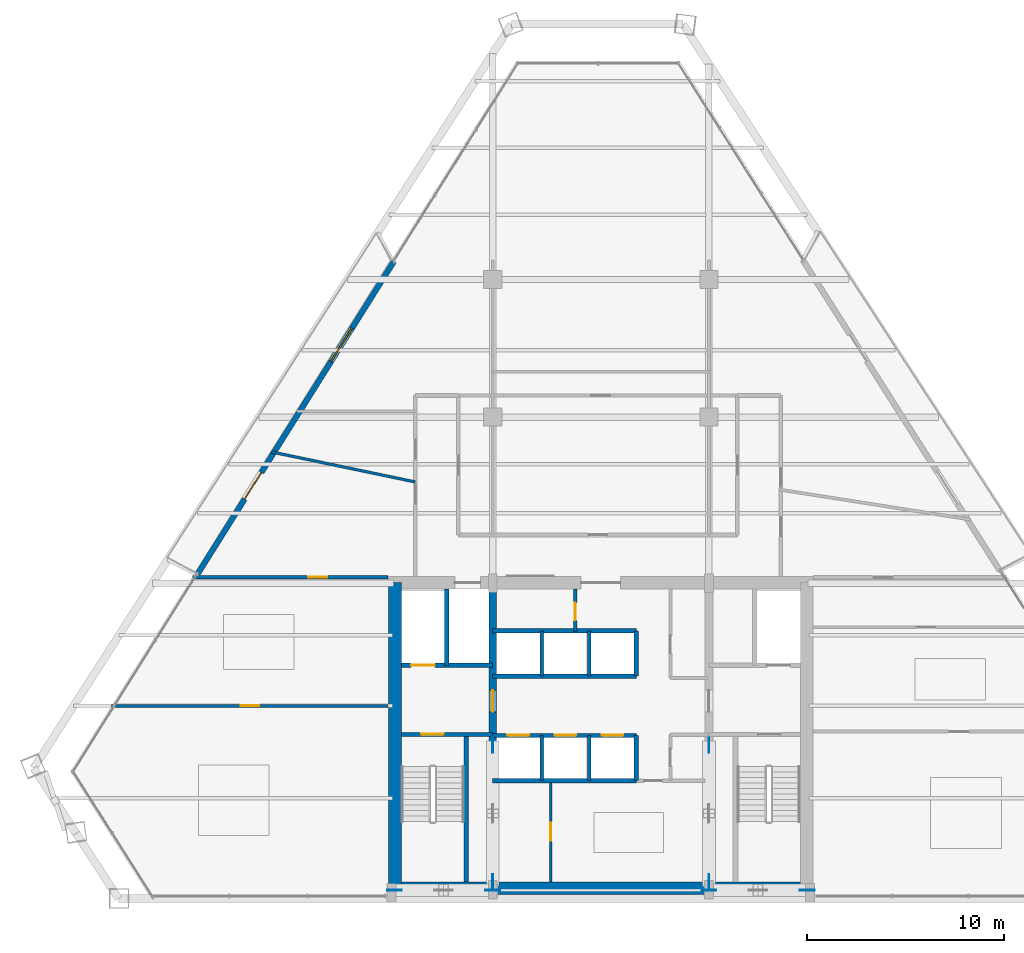
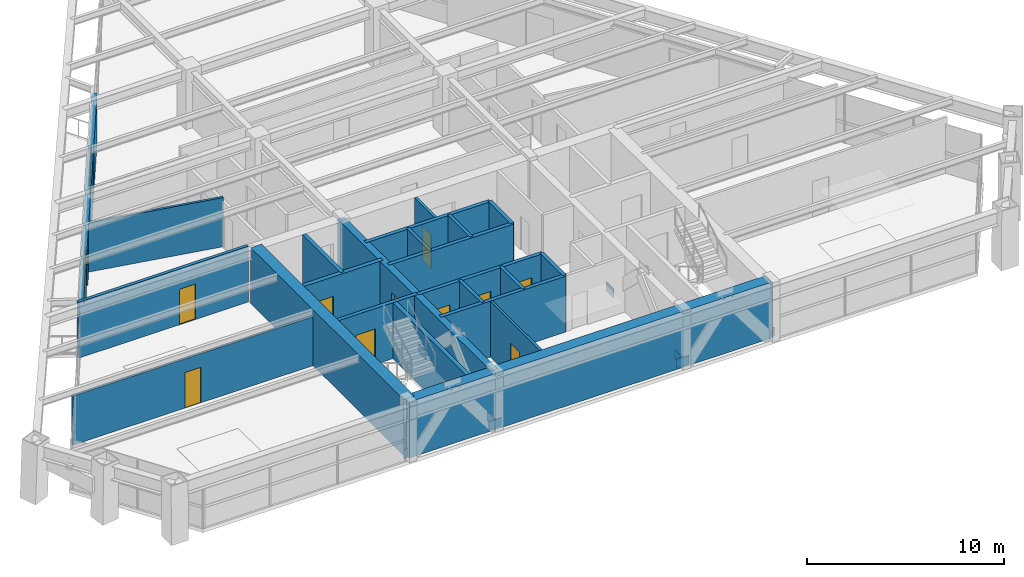
# One storey, part 11 of 15: 23 walls, 11 doors, 8 plates, 1 window, 12 openings.
"""IFC4 building model written with IfcOpenShell, lengths in metres."""

import ifcopenshell
import ifcopenshell.guid

model = None  # the IFC model being written
_history = None  # IfcOwnerHistory: only IFC2X3 demands one
_inside = {}  # id of a spatial element -> (the spatial element, [elements in it])
_under = {}  # id of a project, library or spatial element -> (it, [spatial elements below it])
_declared = {}  # id of a project -> (the project, [libraries it declares])
_typed = {}  # id of a type object -> (the type object, [elements of that type])
_made_of = {}  # id of a material, layer set ... -> (it, [elements and type objects made of it])


def new_model(schema):
    """Start an empty IFC model of exactly this schema.

    Asked for "IFC4X3", IfcOpenShell would pick the latest addendum, in which some entities
    have other attributes; the version numbers below select the first issue.
    IFC2X3 requires an IfcOwnerHistory on every rooted entity: one is made here for all.
    """
    global model, _history
    if schema == "IFC4X3":
        model = ifcopenshell.file(schema_version=(4, 3, 0, 0))
    else:
        model = ifcopenshell.file(schema=schema)
    _inside.clear()
    _under.clear()
    _declared.clear()
    _typed.clear()
    _made_of.clear()
    _history = None
    if model.schema == "IFC2X3":
        org = make("IfcOrganization", Name="unknown")
        user = make(
            "IfcPersonAndOrganization",
            ThePerson=make("IfcPerson", FamilyName="unknown"),
            TheOrganization=org,
        )
        app = make(
            "IfcApplication",
            ApplicationDeveloper=org,
            Version="unknown",
            ApplicationFullName="unknown",
            ApplicationIdentifier="unknown",
        )
        _history = make(
            "IfcOwnerHistory",
            OwningUser=user,
            OwningApplication=app,
            ChangeAction="ADDED",
            CreationDate=0,
        )
    return model


def make(cls, **values):
    """One entity of the class cls with the attributes given. An attribute that is None is left unset."""
    return model.create_entity(
        cls, **{name: value for name, value in values.items() if value is not None}
    )


def rooted(cls, **values):
    """An entity with a GlobalId (a new one), such as an element, a storey or a relation."""
    return make(cls, GlobalId=ifcopenshell.guid.new(), OwnerHistory=_history, **values)


def si_unit(unit_type, name, prefix=None):
    """IfcSIUnit, for example si_unit("LENGTHUNIT", "METRE", prefix="MILLI")."""
    return make("IfcSIUnit", UnitType=unit_type, Prefix=prefix, Name=name)


def assignment(units):
    """IfcUnitAssignment: the units of a project."""
    return None if units is None else make("IfcUnitAssignment", Units=units)


def point(xyz):
    """IfcCartesianPoint."""
    return None if xyz is None else make("IfcCartesianPoint", Coordinates=xyz)


def direction(xyz):
    """IfcDirection."""
    return None if xyz is None else make("IfcDirection", DirectionRatios=xyz)


def frame(location, z_axis=None, x_axis=None):
    """IfcAxis2Placement3D, a coordinate frame: its origin and axes. An axis left out is left unset."""
    return make(
        "IfcAxis2Placement3D",
        Location=point(location),
        Axis=direction(z_axis),
        RefDirection=direction(x_axis),
    )


def frame_2d(location, x_axis=None):
    """IfcAxis2Placement2D, a coordinate frame in the plane: its origin and x axis."""
    return make(
        "IfcAxis2Placement2D", Location=point(location), RefDirection=direction(x_axis)
    )


def origin():
    """The frame at (0, 0, 0) with its axes left unset."""
    return frame((0.0, 0.0, 0.0))


def origin_2d():
    """The frame at (0, 0) in the plane with its x axis left unset."""
    return frame_2d((0.0, 0.0))


def place(relative_to, where):
    """IfcLocalPlacement: puts the frame where relative to a parent placement (None: the world)."""
    return make(
        "IfcLocalPlacement", PlacementRelTo=relative_to, RelativePlacement=where
    )


def context(
    kind, dimensions, precision=None, world=None, true_north=None, identifier=None
):
    """IfcGeometricRepresentationContext, for example the 3D "Model" context."""
    return make(
        "IfcGeometricRepresentationContext",
        ContextIdentifier=identifier,
        ContextType=kind,
        CoordinateSpaceDimension=dimensions,
        Precision=precision,
        WorldCoordinateSystem=world,
        TrueNorth=true_north,
    )


def subcontext(parent, identifier, kind, view, scale=None):
    """IfcGeometricRepresentationSubContext, for example "Body" below "Model"."""
    return make(
        "IfcGeometricRepresentationSubContext",
        ContextIdentifier=identifier,
        ContextType=kind,
        ParentContext=parent,
        TargetScale=scale,
        TargetView=view,
    )


def project(units=None, contexts=None):
    """IfcProject with its units and contexts."""
    return rooted(
        "IfcProject",
        Name="project",
        RepresentationContexts=contexts,
        UnitsInContext=assignment(units),
    )


def spatial(cls, under=None, at=None, **own):
    """A site, building, storey or space (cls), placed at a placement, below another one or the project."""
    s = rooted(cls, ObjectPlacement=at, **own)
    if under is not None:
        _under.setdefault(under.id(), (under, []))[1].append(s)
    return s


def profile(cls, at=None, kind="AREA", **sizes):
    """A parametric profile (cls). Its sizes go by their IFC names, for example OverallWidth=200.0."""
    return make(cls, ProfileType=kind, Position=at, **sizes)


def rectangle(**sizes):
    """IfcRectangleProfileDef."""
    return profile("IfcRectangleProfileDef", **sizes)


def extrude(swept, where, along, depth):
    """IfcExtrudedAreaSolid: the profile swept, set in the frame where, extruded along a direction by depth."""
    return make(
        "IfcExtrudedAreaSolid",
        SweptArea=swept,
        Position=where,
        ExtrudedDirection=direction(along),
        Depth=depth,
    )


def shape(context_of_items, identifier, shape_type, items):
    """IfcShapeRepresentation: the items that make up one representation, for example the "Body"."""
    return make(
        "IfcShapeRepresentation",
        ContextOfItems=context_of_items,
        RepresentationIdentifier=identifier,
        RepresentationType=shape_type,
        Items=items,
    )


def source(mapping_origin, context_of_items, identifier, shape_type, items):
    """IfcRepresentationMap: a shape defined once, which mapped items show again and again."""
    return make(
        "IfcRepresentationMap",
        MappingOrigin=mapping_origin,
        MappedRepresentation=shape(context_of_items, identifier, shape_type, items),
    )


def transform(
    local_origin,
    x_axis=None,
    y_axis=None,
    z_axis=None,
    scale=None,
    scale2=None,
    scale3=None,
    uniform=True,
):
    """IfcCartesianTransformationOperator3D, or its non-uniform kind. x_axis, y_axis, z_axis: its Axis1, 2, 3."""
    if uniform:
        return make(
            "IfcCartesianTransformationOperator3D",
            Axis1=direction(x_axis),
            Axis2=direction(y_axis),
            LocalOrigin=point(local_origin),
            Scale=scale,
            Axis3=direction(z_axis),
        )
    return make(
        "IfcCartesianTransformationOperator3DnonUniform",
        Axis1=direction(x_axis),
        Axis2=direction(y_axis),
        LocalOrigin=point(local_origin),
        Scale=scale,
        Axis3=direction(z_axis),
        Scale2=scale2,
        Scale3=scale3,
    )


def mapped(mapping_source, mapping_target):
    """IfcMappedItem: shows the shape of a source again, moved by a transform."""
    return make(
        "IfcMappedItem", MappingSource=mapping_source, MappingTarget=mapping_target
    )


def material(Name=None, Category=None):
    """IfcMaterial."""
    return make("IfcMaterial", Name=Name, Category=Category)


def layer(
    of_material, thickness, ventilated=None, Name=None, Category=None, Priority=None
):
    """IfcMaterialLayer: one layer of a wall or slab, of a material (None: an air gap)."""
    return make(
        "IfcMaterialLayer",
        Material=of_material,
        LayerThickness=thickness,
        IsVentilated=ventilated,
        Name=Name,
        Category=Category,
        Priority=Priority,
    )


def layer_set(layers, Name=None):
    """IfcMaterialLayerSet."""
    return make("IfcMaterialLayerSet", MaterialLayers=layers, LayerSetName=Name)


def made_of(thing, what):
    """Note that an element or type object is made of a material, layer set ...; save() writes the relation."""
    if what is not None:
        _made_of.setdefault(what.id(), (what, []))[1].append(thing)
    return thing


def type_object(cls, material=None, **own):
    """A type object (cls), such as IfcWallType, which elements share."""
    return made_of(rooted(cls, **own), material)


def type_shapes(of_type, sources):
    """Give a type object the sources (RepresentationMaps) that its elements show as mapped items."""
    of_type.RepresentationMaps = sources


def element(
    cls,
    number,
    at=None,
    inside=None,
    cuts=None,
    type_object=None,
    material=None,
    context=None,
    identifier="Body",
    shape_type=None,
    held_by="IfcProductDefinitionShape",
    body=None,
    shapes=None,
    **own,
):
    """One element of the class cls, such as IfcWall. Its Tag is "e" and its number.

    at: its placement. inside: the storey or other place that contains it. cuts: it is an
    opening in that element (IfcRelVoidsElement). A single representation is given by context,
    identifier, shape_type and body (its items); several are given by shapes. held_by: the class
    of the entity that holds the representations. save() writes the other relations.
    """
    e = rooted(cls, Tag="e%d" % number, ObjectPlacement=at, **own)
    if body is not None:
        shapes = [shape(context, identifier, shape_type, body)]
    if shapes is not None:
        e.Representation = make(held_by, Representations=shapes)
    if inside is not None:
        _inside.setdefault(inside.id(), (inside, []))[1].append(e)
    if cuts is not None:
        rooted(
            "IfcRelVoidsElement", RelatingBuildingElement=cuts, RelatedOpeningElement=e
        )
    if type_object is not None:
        _typed.setdefault(type_object.id(), (type_object, []))[1].append(e)
    return made_of(e, material)


def fill(opening, filler):
    """IfcRelFillsElement: the door or window that sits in an opening."""
    return rooted(
        "IfcRelFillsElement",
        RelatingOpeningElement=opening,
        RelatedBuildingElement=filler,
    )


def aggregate(whole, parts):
    """IfcRelAggregates: a whole, such as a stair, and the parts it consists of."""
    return rooted("IfcRelAggregates", RelatingObject=whole, RelatedObjects=parts)


def save(model, path):
    """Write the relations noted so far, then the file.

    IfcRelAggregates (storeys below a building ...), IfcRelContainedInSpatialStructure (elements
    in a storey), IfcRelDefinesByType, IfcRelAssociatesMaterial and IfcRelDeclares: one each for
    every whole, place, type object, material and project.
    """
    for whole, parts in _under.values():
        aggregate(whole, parts)
    for where, things in _inside.values():
        rooted(
            "IfcRelContainedInSpatialStructure",
            RelatedElements=things,
            RelatingStructure=where,
        )
    for kind, things in _typed.values():
        rooted("IfcRelDefinesByType", RelatedObjects=things, RelatingType=kind)
    for what, things in _made_of.values():
        rooted("IfcRelAssociatesMaterial", RelatedObjects=things, RelatingMaterial=what)
    for by, libraries in _declared.values():
        rooted("IfcRelDeclares", RelatingContext=by, RelatedDefinitions=libraries)
    model.write(path)


model = new_model("IFC4")

# Units and contexts
model_context = context("Model", 3, precision=1e-05, world=origin(), true_north=direction((0.0, 1.0)))
body_context = subcontext(model_context, "Body", "Model", "MODEL_VIEW")
ifc_project = project(units=[si_unit("LENGTHUNIT", "METRE"), si_unit("AREAUNIT", "SQUARE_METRE"), si_unit("VOLUMEUNIT", "CUBIC_METRE"), si_unit("PLANEANGLEUNIT", "RADIAN"), si_unit("MASSUNIT", "GRAM", prefix="KILO")], contexts=[model_context])

# Site, building, storey
site_placement = place(None, origin())
site = spatial("IfcSite", under=ifc_project, at=site_placement, CompositionType="ELEMENT")
building_placement = place(site_placement, origin())
building = spatial("IfcBuilding", under=site, at=building_placement, Name="Varnakhor Terracotta Tower", CompositionType="ELEMENT")
storey_placement = place(building_placement, frame((0.0, 0.0, 174.699951171875)))
storey = spatial("IfcBuildingStorey", under=building, at=storey_placement, Name="L44", CompositionType="ELEMENT", Elevation=174.699951171875)

# Plates
ifc_material_1 = material(Name="Steel S460", Category="steel")
ifc_layer_1 = layer(ifc_material_1, 0.050048828125, Name="Steel S460")
ifc_layer_set_1 = layer_set([ifc_layer_1], Name="Steel S460")
plate_type = type_object("IfcPlateType", Name="PLT-GUSSET-50", PredefinedType="USERDEFINED", material=ifc_layer_set_1)
shared_shape_1 = source(origin(), body_context, "Body", "SweptSolid", [
    extrude(rectangle(XDim=0.75, YDim=0.0400390625, at=origin_2d()), origin(), (0.0, 0.0, 1.0), 0.550048828125),
])
type_shapes(plate_type, [shared_shape_1])
for number, where, z_axis, x_axis, name in (
    (1, (-10.5, 0.419921875, -0.09521484375), (0.0, 0.0, 1.0), (1.0, 0.0, 0.0), "L44 Core Brace Embed Plate CSWA"),
    (2, (-5.5, 0.419921875, -0.09521484375), (0.0, 0.0, 1.0), (1.0, 0.0, 0.0), "L44 Core Brace Embed Plate CSWB"),
    (3, (5.5, 0.419921875, -0.09521484375), (0.0, 0.0, 1.0), (1.0, 0.0, 0.0), "L44 Core Brace Embed Plate CSEA"),
    (4, (10.5, 0.419921875, -0.09521484375), (0.0, 0.0, 1.0), (1.0, 0.0, 0.0), "L44 Core Brace Embed Plate CSEB"),
    (5, (-5.5, 0.85009765625, -0.09521484375), (0.0, 0.0, 1.0), (0.0, 1.0, 0.0), "L44 Core Brace Embed Plate CWWA"),
    (6, (-5.5, 7.800048828125, -0.09521484375), (0.0, 0.0, 1.0), (0.0, 1.0, 0.0), "L44 Core Brace Embed Plate CWWB"),
    (7, (5.5, 0.85009765625, -0.09521484375), (0.0, 0.0, 1.0), (0.0, 1.0, 0.0), "L44 Core Brace Embed Plate CWEA"),
    (8, (5.5, 7.800048828125, -0.09521484375), (0.0, 0.0, 1.0), (0.0, 1.0, 0.0), "L44 Core Brace Embed Plate CWEB"),
):
    element("IfcPlate", number, at=place(storey_placement, frame(where, z_axis=z_axis, x_axis=x_axis)), inside=storey, type_object=plate_type, Name=name, ObjectType="GUSSET PLATE", PredefinedType="USERDEFINED", context=body_context, shape_type="MappedRepresentation", body=[
        mapped(shared_shape_1, transform((0.0, 0.0, 0.0), scale=1.0)),
    ])

# Walls
ifc_material_2 = material(Name="Concrete C50/60", Category="concrete")
ifc_layer_2 = layer(ifc_material_2, 0.64990234375, Name="Concrete C50/60")
ifc_layer_set_2 = layer_set([ifc_layer_2], Name="Concrete C50/60")
wall_type_1 = type_object("IfcWallType", Name="WAL-CORE-650", PredefinedType="SHEAR", material=ifc_layer_set_2)
wall_1_placement = place(storey_placement, frame((-10.64990234375, 0.52490234375, 0.0), z_axis=(0.0, 0.0, 1.0), x_axis=(1.0, 0.0, 0.0)))
element("IfcWall", 9, at=wall_1_placement, inside=storey, type_object=wall_type_1, Name="L44 South Core Shear Wall", PredefinedType="SHEAR", context=body_context, shape_type="SweptSolid", body=[
    extrude(rectangle(XDim=21.2998046875, YDim=0.64990234375, at=frame_2d((10.64990234375, 0.0))), origin(), (0.0, 0.0, 1.0), 3.469970703125),
])
wall_2_placement = place(storey_placement, frame((-10.47509765625, 0.52490234375, 0.0), z_axis=(0.0, 0.0, 1.0), x_axis=(0.0, 1.0, 0.0)))
element("IfcWall", 10, at=wall_2_placement, inside=storey, type_object=wall_type_1, Name="L44 West Core Shear Wall", PredefinedType="SHEAR", context=body_context, shape_type="SweptSolid", body=[
    extrude(rectangle(XDim=15.550048828125, YDim=0.64990234375, at=frame_2d((7.77490234375, 0.0))), origin(), (0.0, 0.0, 1.0), 3.469970703125),
])

# Wall, opening, door
ifc_layer_3 = layer(ifc_material_2, 0.39990234375, Name="Concrete C50/60")
ifc_layer_set_3 = layer_set([ifc_layer_3], Name="Concrete C50/60")
wall_type_2 = type_object("IfcWallType", Name="WAL-CORE-WEB-400", PredefinedType="SHEAR", material=ifc_layer_set_3)
wall_3_placement = place(storey_placement, frame((-5.5, 0.52490234375, 0.0), z_axis=(0.0, 0.0, 1.0), x_axis=(0.0, 1.0, 0.0)))
wall_3 = element("IfcWall", 11, at=wall_3_placement, inside=storey, type_object=wall_type_2, Name="L44 West Core Web Shear Wall", PredefinedType="SHEAR", context=body_context, shape_type="SweptSolid", body=[
    extrude(rectangle(XDim=15.550048828125, YDim=0.39990234375, at=frame_2d((7.77490234375, 0.0))), origin(), (0.0, 0.0, 1.0), 3.469970703125),
])
opening_1_placement = place(wall_3_placement, frame((8.97509765625, 0.0, 0.0)))
opening_1 = element("IfcOpeningElement", 12, at=opening_1_placement, cuts=wall_3, Name="Opening DR-25", PredefinedType="OPENING", context=body_context, shape_type="SweptSolid", body=[
    extrude(rectangle(XDim=1.10009765625, YDim=2.199951171875, at=frame_2d((0.550048828125, 1.10009765625))), frame((0.0, 0.2099609375, 0.0), z_axis=(0.0, -1.0, 0.0), x_axis=(1.0, 0.0, 0.0)), (0.0, 0.0, 1.0), 0.419921875),
])
ifc_material_3 = material(Name="Firefighting Lobby Self-Closing Fire Door", Category="steel")
door_type_1 = type_object("IfcDoorType", Name="DR-FFL-1100X2200", OperationType="NOTDEFINED", PredefinedType="DOOR", material=ifc_material_3)
shared_shape_2 = source(origin(), body_context, "Body", "SweptSolid", [
    extrude(rectangle(XDim=1.10009765625, YDim=2.199951171875, at=frame_2d((0.550048828125, 1.10009765625))), frame((0.0, 0.02490234375, 0.0), z_axis=(0.0, -1.0, 0.0), x_axis=(1.0, 0.0, 0.0)), (0.0, 0.0, 1.0), 0.050048828125),
])
type_shapes(door_type_1, [shared_shape_2])
door_1_placement = place(opening_1_placement, origin())
door_1 = element("IfcDoor", 13, at=door_1_placement, inside=storey, type_object=door_type_1, Name="L44 West Firefighting Lobby Door", OperationType="SINGLE_SWING_RIGHT", OverallHeight=2.199951171875, OverallWidth=1.10009765625, PredefinedType="DOOR", context=body_context, shape_type="MappedRepresentation", body=[
    mapped(shared_shape_2, transform((0.0, 0.0, 0.0), scale=1.0)),
])
fill(opening_1, door_1)

ifc_material_4 = material(Name="Fire-Rated Gypsum Stud Partition", Category="gypsum")
ifc_layer_4 = layer(ifc_material_4, 0.18505859375, Name="Fire-Rated Gypsum Stud Partition")
ifc_layer_set_4 = layer_set([ifc_layer_4], Name="Fire-Rated Gypsum Stud Partition")
wall_type_3 = type_object("IfcWallType", Name="WAL-CORR-185", PredefinedType="PARTITIONING", material=ifc_layer_set_4)
wall_4_placement = place(storey_placement, frame((-20.77587890625, 16.35009765625, 0.0), z_axis=(0.0, 0.0, 1.0), x_axis=(1.0, 0.0, 0.0)))
wall_4 = element("IfcWall", 14, at=wall_4_placement, inside=storey, type_object=wall_type_3, Name="L44 South West Entry Wall", PredefinedType="PARTITIONING", context=body_context, shape_type="SweptSolid", body=[
    extrude(rectangle(XDim=9.955810546875, YDim=0.18505859375, at=frame_2d((4.97802734375, 0.0))), origin(), (0.0, 0.0, 1.0), 3.462158203125),
])
opening_2_placement = place(wall_4_placement, frame((5.894287109375, 0.0, 0.0)))
opening_2 = element("IfcOpeningElement", 15, at=opening_2_placement, cuts=wall_4, Name="Opening DR-94", PredefinedType="OPENING", context=body_context, shape_type="SweptSolid", body=[
    extrude(rectangle(XDim=0.949951171875, YDim=2.199951171875, at=frame_2d((0.47509765625, 1.10009765625))), frame((0.0, 0.1025390625, 0.0), z_axis=(0.0, -1.0, 0.0), x_axis=(1.0, 0.0, 0.0)), (0.0, 0.0, 1.0), 0.205078125),
])
ifc_material_5 = material(Name="Acoustic Glazed-Vision Timber Office Door", Category="wood")
door_type_2 = type_object("IfcDoorType", Name="DR-OFF-950X2200", OperationType="NOTDEFINED", PredefinedType="DOOR", material=ifc_material_5)
shared_shape_3 = source(origin(), body_context, "Body", "SweptSolid", [
    extrude(rectangle(XDim=0.949951171875, YDim=2.199951171875, at=frame_2d((0.47509765625, 1.10009765625))), frame((0.0, 0.02490234375, 0.0), z_axis=(0.0, -1.0, 0.0), x_axis=(1.0, 0.0, 0.0)), (0.0, 0.0, 1.0), 0.050048828125),
])
type_shapes(door_type_2, [shared_shape_3])
door_2_placement = place(opening_2_placement, origin())
door_2 = element("IfcDoor", 16, at=door_2_placement, inside=storey, type_object=door_type_2, Name="L44 SW Suite Door", OperationType="SINGLE_SWING_LEFT", OverallHeight=2.199951171875, OverallWidth=0.949951171875, PredefinedType="DOOR", context=body_context, shape_type="MappedRepresentation", body=[
    mapped(shared_shape_3, transform((0.0, 0.0, 0.0), scale=1.0)),
])
fill(opening_2, door_2)

# Wall, openings, door, window
ifc_material_6 = material(Name="Extruded Architectural Terracotta Assembly", Category="masonry")
ifc_layer_5 = layer(ifc_material_6, 0.280029296875, Name="Extruded Architectural Terracotta Assembly")
ifc_layer_set_5 = layer_set([ifc_layer_5], Name="Extruded Architectural Terracotta Assembly")
wall_type_4 = type_object("IfcWallType", Name="WAL-EXT-TERRACOTTA-280", PredefinedType="SOLIDWALL", material=ifc_layer_set_5)
wall_5_placement = place(storey_placement, frame((-20.519287109375, 16.51416015625, 0.0), z_axis=(0.0, 0.0, 1.0), x_axis=(0.531871143151, 0.846825299034, 0.0)))
wall_5 = element("IfcWall", 17, at=wall_5_placement, inside=storey, type_object=wall_type_4, Name="L44 W Loggia Insulated Terracotta Wall", PredefinedType="SOLIDWALL", context=body_context, shape_type="SweptSolid", body=[
    extrude(rectangle(XDim=18.77685546875, YDim=0.280029296875, at=frame_2d((9.388427734375, 0.0))), origin(), (0.0, 0.0, 1.0), 3.050048828125),
])
opening_3_placement = place(wall_5_placement, frame((4.50634765625, 0.0, 0.0)))
opening_3 = element("IfcOpeningElement", 18, at=opening_3_placement, cuts=wall_5, Name="Opening DR-62", PredefinedType="OPENING", context=body_context, shape_type="SweptSolid", body=[
    extrude(rectangle(XDim=1.60009765625, YDim=2.35009765625, at=frame_2d((0.800048828125, 1.175048828125))), frame((0.0, 0.14990234375, 0.0), z_axis=(0.0, -1.0, 0.0), x_axis=(1.0, 0.0, 0.0)), (0.0, 0.0, 1.0), 0.300048828125),
])
opening_4_placement = place(wall_5_placement, frame((12.76806640625, 0.0, 0.89990234375)))
opening_4 = element("IfcOpeningElement", 19, at=opening_4_placement, cuts=wall_5, Name="Opening WN-26", PredefinedType="OPENING", context=body_context, shape_type="SweptSolid", body=[
    extrude(rectangle(XDim=2.0, YDim=1.85009765625, at=frame_2d((1.0, 0.925048828125))), frame((0.0, 0.14990234375, 0.0), z_axis=(0.0, -1.0, 0.0), x_axis=(1.0, 0.0, 0.0)), (0.0, 0.0, 1.0), 0.300048828125),
])
ifc_material_7 = material(Name="Thermally Broken Sliding Glass Loggia Door", Category="glass")
door_type_3 = type_object("IfcDoorType", Name="DR-EXT-LOGGIA-1600X2350", OperationType="NOTDEFINED", PredefinedType="DOOR", material=ifc_material_7)
shared_shape_4 = source(origin(), body_context, "Body", "SweptSolid", [
    extrude(rectangle(XDim=1.60009765625, YDim=2.35009765625, at=frame_2d((0.800048828125, 1.175048828125))), frame((0.0, 0.02490234375, 0.0), z_axis=(0.0, -1.0, 0.0), x_axis=(1.0, 0.0, 0.0)), (0.0, 0.0, 1.0), 0.050048828125),
])
type_shapes(door_type_3, [shared_shape_4])
door_3_placement = place(opening_3_placement, origin())
door_3 = element("IfcDoor", 20, at=door_3_placement, inside=storey, type_object=door_type_3, Name="L44 W Recessed Loggia Sliding Door", OperationType="SLIDING_TO_LEFT", OverallHeight=2.35009765625, OverallWidth=1.60009765625, PredefinedType="DOOR", context=body_context, shape_type="MappedRepresentation", body=[
    mapped(shared_shape_4, transform((0.0, 0.0, 0.0), scale=1.0)),
])
fill(opening_3, door_3)
ifc_material_8 = material(Name="Solar-Control Low-E Insulated Glass Unit", Category="glass")
window_type = type_object("IfcWindowType", Name="WIN-OFF-2200X2100", PartitioningType="SINGLE_PANEL", PredefinedType="WINDOW", material=ifc_material_8)
shared_shape_5 = source(origin(), body_context, "Body", "SweptSolid", [
    extrude(rectangle(XDim=2.0, YDim=1.85009765625, at=frame_2d((1.0, 0.925048828125))), frame((0.0, 0.030029296875, 0.0), z_axis=(0.0, -1.0, 0.0), x_axis=(1.0, 0.0, 0.0)), (0.0, 0.0, 1.0), 0.06005859375),
])
type_shapes(window_type, [shared_shape_5])
window_placement = place(opening_4_placement, origin())
window = element("IfcWindow", 21, at=window_placement, inside=storey, type_object=window_type, Name="L44 W Facet Punched Window", OverallHeight=1.85009765625, OverallWidth=2.0, PartitioningType="SINGLE_PANEL", PredefinedType="WINDOW", context=body_context, shape_type="MappedRepresentation", body=[
    mapped(shared_shape_5, transform((0.0, 0.0, 0.0), scale=1.0)),
])
fill(opening_4, window)

# Wall, opening, door
ifc_material_9 = material(Name="Concrete C40/50", Category="concrete")
ifc_layer_6 = layer(ifc_material_9, 0.219970703125, Name="Concrete C40/50")
ifc_layer_set_6 = layer_set([ifc_layer_6], Name="Concrete C40/50")
wall_type_5 = type_object("IfcWallType", Name="WAL-FFLOBBY-220", PredefinedType="SOLIDWALL", material=ifc_layer_set_6)
wall_6_placement = place(storey_placement, frame((-5.5, 8.35009765625, 0.0), z_axis=(0.0, 0.0, 1.0), x_axis=(-1.0, 0.0, 0.0)))
wall_6 = element("IfcWall", 22, at=wall_6_placement, inside=storey, type_object=wall_type_5, Name="L44 West Firefighting Lobby Stair Wall", PredefinedType="SOLIDWALL", context=body_context, shape_type="SweptSolid", body=[
    extrude(rectangle(XDim=4.64990234375, YDim=0.219970703125, at=frame_2d((2.324951171875, 0.0))), origin(), (0.0, 0.0, 1.0), 3.469970703125),
])
opening_5_placement = place(wall_6_placement, frame((2.5, 0.0, 0.0)))
opening_5 = element("IfcOpeningElement", 23, at=opening_5_placement, cuts=wall_6, Name="Opening DR-34", PredefinedType="OPENING", context=body_context, shape_type="SweptSolid", body=[
    extrude(rectangle(XDim=1.14990234375, YDim=2.199951171875, at=frame_2d((0.574951171875, 1.10009765625))), frame((0.0, 0.1201171875, 0.0), z_axis=(0.0, -1.0, 0.0), x_axis=(1.0, 0.0, 0.0)), (0.0, 0.0, 1.0), 0.239990234375),
])
ifc_material_10 = material(Name="Self-Closing Smoke-Sealed Steel Fire Door", Category="steel")
door_type_4 = type_object("IfcDoorType", Name="DR-STAIR-1150X2200", OperationType="NOTDEFINED", PredefinedType="DOOR", material=ifc_material_10)
shared_shape_6 = source(origin(), body_context, "Body", "SweptSolid", [
    extrude(rectangle(XDim=1.14990234375, YDim=2.199951171875, at=frame_2d((0.574951171875, 1.10009765625))), frame((0.0, 0.02490234375, 0.0), z_axis=(0.0, -1.0, 0.0), x_axis=(1.0, 0.0, 0.0)), (0.0, 0.0, 1.0), 0.050048828125),
])
type_shapes(door_type_4, [shared_shape_6])
door_4_placement = place(opening_5_placement, origin())
door_4 = element("IfcDoor", 24, at=door_4_placement, inside=storey, type_object=door_type_4, Name="L44 Exit Stair ST-1 Fire Door", OperationType="SINGLE_SWING_LEFT", OverallHeight=2.199951171875, OverallWidth=1.14990234375, PredefinedType="DOOR", context=body_context, shape_type="MappedRepresentation", body=[
    mapped(shared_shape_6, transform((0.0, 0.0, 0.0), scale=1.0)),
])
fill(opening_5, door_4)

ifc_material_11 = material(Name="Acoustic Metal-Stud Partition", Category="gypsum")
ifc_layer_7 = layer(ifc_material_11, 0.139892578125, Name="Acoustic Metal-Stud Partition")
ifc_layer_set_7 = layer_set([ifc_layer_7], Name="Acoustic Metal-Stud Partition")
wall_type_6 = type_object("IfcWallType", Name="WAL-PART-140", PredefinedType="PARTITIONING", material=ifc_layer_set_7)
wall_7_placement = place(storey_placement, frame((-24.889892578125, 9.800048828125, 0.0), z_axis=(0.0, 0.0, 1.0), x_axis=(1.0, 0.0, 0.0)))
wall_7 = element("IfcWall", 25, at=wall_7_placement, inside=storey, type_object=wall_type_6, Name="L44 West Wing Cut 1", PredefinedType="PARTITIONING", context=body_context, shape_type="SweptSolid", body=[
    extrude(rectangle(XDim=14.06982421875, YDim=0.139892578125, at=frame_2d((7.034912109375, 0.0))), origin(), (0.0, 0.0, 1.0), 3.049072265625),
])
opening_6_placement = place(wall_7_placement, frame((6.56689453125, 0.0, 0.0)))
opening_6 = element("IfcOpeningElement", 26, at=opening_6_placement, cuts=wall_7, Name="Opening DR-94", PredefinedType="OPENING", context=body_context, shape_type="SweptSolid", body=[
    extrude(rectangle(XDim=0.949951171875, YDim=2.199951171875, at=frame_2d((0.47509765625, 1.10009765625))), frame((0.0, 0.080078125, 0.0), z_axis=(0.0, -1.0, 0.0), x_axis=(1.0, 0.0, 0.0)), (0.0, 0.0, 1.0), 0.159912109375),
])
door_5_placement = place(opening_6_placement, origin())
door_5 = element("IfcDoor", 27, at=door_5_placement, inside=storey, type_object=door_type_2, Name="L44 Partner Office 5 Door", OperationType="SINGLE_SWING_LEFT", OverallHeight=2.199951171875, OverallWidth=0.949951171875, PredefinedType="DOOR", context=body_context, shape_type="MappedRepresentation", body=[
    mapped(shared_shape_3, transform((0.0, 0.0, 0.0), scale=1.0)),
])
fill(opening_6, door_5)

# Walls
wall_8_placement = place(storey_placement, frame((-16.77001953125, 22.728271484375, 0.0), z_axis=(0.0, 0.0, 1.0), x_axis=(0.978892052861, -0.204377955872, 0.0)))
element("IfcWall", 28, at=wall_8_placement, inside=storey, type_object=wall_type_6, Name="L44 West Wing Cut 2", PredefinedType="PARTITIONING", context=body_context, shape_type="SweptSolid", body=[
    extrude(rectangle(XDim=7.47802734375, YDim=0.139892578125, at=frame_2d((3.739013671875, 0.0))), origin(), (0.0, 0.0, 1.0), 3.049072265625),
])
ifc_layer_8 = layer(ifc_material_9, 0.179931640625, Name="Concrete C40/50")
ifc_layer_set_8 = layer_set([ifc_layer_8], Name="Concrete C40/50")
wall_type_7 = type_object("IfcWallType", Name="WAL-SHAFT-180", PredefinedType="SOLIDWALL", material=ifc_layer_set_8)
for number, where, z_axis, x_axis, name in (
    (29, (-3.0, 6.0, 0.0), (0.0, 0.0, 1.0), (0.0, 1.0, 0.0), "L44 PL-2A Divider"),
    (30, (-0.60009765625, 6.0, 0.0), (0.0, 0.0, 1.0), (0.0, 1.0, 0.0), "L44 PL-2B Divider"),
    (31, (-3.0, 11.320068359375, 0.0), (0.0, 0.0, 1.0), (0.0, 1.0, 0.0), "L44 PL-3A Divider"),
    (32, (-0.60009765625, 11.320068359375, 0.0), (0.0, 0.0, 1.0), (0.0, 1.0, 0.0), "L44 PL-3B Divider"),
):
    element("IfcWall", number, at=place(storey_placement, frame(where, z_axis=z_axis, x_axis=x_axis)), inside=storey, type_object=wall_type_7, Name=name, PredefinedType="SOLIDWALL", context=body_context, shape_type="SweptSolid", body=[
        extrude(rectangle(XDim=2.300048828125, YDim=0.179931640625, at=frame_2d((1.14990234375, 0.0))), origin(), (0.0, 0.0, 1.0), 3.469970703125),
    ])
ifc_layer_9 = layer(ifc_material_9, 0.219970703125, Name="Concrete C40/50")
ifc_layer_set_9 = layer_set([ifc_layer_9], Name="Concrete C40/50")
wall_type_8 = type_object("IfcWallType", Name="WAL-SHAFT-220", PredefinedType="SOLIDWALL", material=ifc_layer_set_9)
wall_9_placement = place(storey_placement, frame((-7.840087890625, 11.8701171875, 0.0), z_axis=(0.0, 0.0, 1.0), x_axis=(0.0, 1.0, 0.0)))
element("IfcWall", 33, at=wall_9_placement, inside=storey, type_object=wall_type_8, Name="L44 Lift FFL-1 and SVL-1 Divider Wall", PredefinedType="SOLIDWALL", context=body_context, shape_type="SweptSolid", body=[
    extrude(rectangle(XDim=3.8798828125, YDim=0.219970703125, at=frame_2d((1.93994140625, 0.0))), origin(), (0.0, 0.0, 1.0), 3.469970703125),
])
wall_10_placement = place(storey_placement, frame((-5.5, 6.0, 0.0), z_axis=(0.0, 0.0, 1.0), x_axis=(1.0, 0.0, 0.0)))
element("IfcWall", 34, at=wall_10_placement, inside=storey, type_object=wall_type_8, Name="L44 Bank 2 South Shaft Wall", PredefinedType="SOLIDWALL", context=body_context, shape_type="SweptSolid", body=[
    extrude(rectangle(XDim=7.320068359375, YDim=0.219970703125, at=frame_2d((3.66015625, 0.0))), origin(), (0.0, 0.0, 1.0), 3.469970703125),
])

# Wall, openings, doors
wall_11_placement = place(storey_placement, frame((-5.5, 8.300048828125, 0.0), z_axis=(0.0, 0.0, 1.0), x_axis=(1.0, 0.0, 0.0)))
wall_11 = element("IfcWall", 35, at=wall_11_placement, inside=storey, type_object=wall_type_8, Name="L44 Bank 2 North Shaft Wall", PredefinedType="SOLIDWALL", context=body_context, shape_type="SweptSolid", body=[
    extrude(rectangle(XDim=7.320068359375, YDim=0.219970703125, at=frame_2d((3.66015625, 0.0))), origin(), (0.0, 0.0, 1.0), 3.469970703125),
])
opening_7_placement = place(wall_11_placement, frame((0.75, 0.0, 0.0)))
opening_7 = element("IfcOpeningElement", 36, at=opening_7_placement, cuts=wall_11, Name="Opening LD-01", PredefinedType="OPENING", context=body_context, shape_type="SweptSolid", body=[
    extrude(rectangle(XDim=1.10009765625, YDim=2.199951171875, at=frame_2d((0.550048828125, 1.10009765625))), frame((0.0, 0.1201171875, 0.0), z_axis=(0.0, -1.0, 0.0), x_axis=(1.0, 0.0, 0.0)), (0.0, 0.0, 1.0), 0.239990234375),
])
opening_8_placement = place(wall_11_placement, frame((3.14990234375, 0.0, 0.0)))
opening_8 = element("IfcOpeningElement", 37, at=opening_8_placement, cuts=wall_11, Name="Opening LD-01", PredefinedType="OPENING", context=body_context, shape_type="SweptSolid", body=[
    extrude(rectangle(XDim=1.10009765625, YDim=2.199951171875, at=frame_2d((0.550048828125, 1.10009765625))), frame((0.0, 0.1201171875, 0.0), z_axis=(0.0, -1.0, 0.0), x_axis=(1.0, 0.0, 0.0)), (0.0, 0.0, 1.0), 0.239990234375),
])
opening_9_placement = place(wall_11_placement, frame((5.550048828125, 0.0, 0.0)))
opening_9 = element("IfcOpeningElement", 38, at=opening_9_placement, cuts=wall_11, Name="Opening LD-01", PredefinedType="OPENING", context=body_context, shape_type="SweptSolid", body=[
    extrude(rectangle(XDim=1.10009765625, YDim=2.199951171875, at=frame_2d((0.550048828125, 1.10009765625))), frame((0.0, 0.1201171875, 0.0), z_axis=(0.0, -1.0, 0.0), x_axis=(1.0, 0.0, 0.0)), (0.0, 0.0, 1.0), 0.239990234375),
])
ifc_material_12 = material(Name="Brushed Stainless Steel Sliding Lift Landing Door", Category="steel")
door_type_5 = type_object("IfcDoorType", Name="LD-PASS-1100X2200", OperationType="NOTDEFINED", PredefinedType="DOOR", material=ifc_material_12)
shared_shape_7 = source(origin(), body_context, "Body", "SweptSolid", [
    extrude(rectangle(XDim=1.10009765625, YDim=2.199951171875, at=frame_2d((0.550048828125, 1.10009765625))), frame((0.0, 0.02490234375, 0.0), z_axis=(0.0, -1.0, 0.0), x_axis=(1.0, 0.0, 0.0)), (0.0, 0.0, 1.0), 0.050048828125),
])
type_shapes(door_type_5, [shared_shape_7])
door_6_placement = place(opening_7_placement, origin())
door_6 = element("IfcDoor", 39, at=door_6_placement, inside=storey, type_object=door_type_5, Name="L44 Passenger Lift PL-2A Landing Door", OperationType="SLIDING_TO_LEFT", OverallHeight=2.199951171875, OverallWidth=1.10009765625, PredefinedType="DOOR", context=body_context, shape_type="MappedRepresentation", body=[
    mapped(shared_shape_7, transform((0.0, 0.0, 0.0), scale=1.0)),
])
fill(opening_7, door_6)
door_7_placement = place(opening_8_placement, origin())
door_7 = element("IfcDoor", 40, at=door_7_placement, inside=storey, type_object=door_type_5, Name="L44 Passenger Lift PL-2B Landing Door", OperationType="SLIDING_TO_LEFT", OverallHeight=2.199951171875, OverallWidth=1.10009765625, PredefinedType="DOOR", context=body_context, shape_type="MappedRepresentation", body=[
    mapped(shared_shape_7, transform((0.0, 0.0, 0.0), scale=1.0)),
])
fill(opening_8, door_7)
door_8_placement = place(opening_9_placement, origin())
door_8 = element("IfcDoor", 41, at=door_8_placement, inside=storey, type_object=door_type_5, Name="L44 Passenger Lift PL-2C Landing Door", OperationType="SLIDING_TO_LEFT", OverallHeight=2.199951171875, OverallWidth=1.10009765625, PredefinedType="DOOR", context=body_context, shape_type="MappedRepresentation", body=[
    mapped(shared_shape_7, transform((0.0, 0.0, 0.0), scale=1.0)),
])
fill(opening_9, door_8)

# Walls
wall_12_placement = place(storey_placement, frame((1.800048828125, 6.0, 0.0), z_axis=(0.0, 0.0, 1.0), x_axis=(0.0, 1.0, 0.0)))
element("IfcWall", 42, at=wall_12_placement, inside=storey, type_object=wall_type_8, Name="L44 Bank 2 East Shaft Wall", PredefinedType="SOLIDWALL", context=body_context, shape_type="SweptSolid", body=[
    extrude(rectangle(XDim=2.300048828125, YDim=0.219970703125, at=frame_2d((1.14990234375, 0.0))), origin(), (0.0, 0.0, 1.0), 3.469970703125),
])
for number, where, z_axis, x_axis, name in (
    (43, (-5.5, 11.320068359375, 0.0), (0.0, 0.0, 1.0), (1.0, 0.0, 0.0), "L44 Bank 3 South Shaft Wall"),
    (44, (-5.5, 13.6201171875, 0.0), (0.0, 0.0, 1.0), (1.0, 0.0, 0.0), "L44 Bank 3 North Shaft Wall"),
):
    element("IfcWall", number, at=place(storey_placement, frame(where, z_axis=z_axis, x_axis=x_axis)), inside=storey, type_object=wall_type_8, Name=name, PredefinedType="SOLIDWALL", context=body_context, shape_type="SweptSolid", body=[
        extrude(rectangle(XDim=7.320068359375, YDim=0.219970703125, at=frame_2d((3.66015625, 0.0))), origin(), (0.0, 0.0, 1.0), 3.469970703125),
    ])
wall_13_placement = place(storey_placement, frame((1.800048828125, 11.320068359375, 0.0), z_axis=(0.0, 0.0, 1.0), x_axis=(0.0, 1.0, 0.0)))
element("IfcWall", 45, at=wall_13_placement, inside=storey, type_object=wall_type_8, Name="L44 Bank 3 East Shaft Wall", PredefinedType="SOLIDWALL", context=body_context, shape_type="SweptSolid", body=[
    extrude(rectangle(XDim=2.300048828125, YDim=0.219970703125, at=frame_2d((1.14990234375, 0.0))), origin(), (0.0, 0.0, 1.0), 3.469970703125),
])
ifc_layer_10 = layer(ifc_material_9, 0.25, Name="Concrete C40/50")
ifc_layer_set_10 = layer_set([ifc_layer_10], Name="Concrete C40/50")
wall_type_9 = type_object("IfcWallType", Name="WAL-SHAFT-250", PredefinedType="SOLIDWALL", material=ifc_layer_set_10)
wall_14_placement = place(storey_placement, frame((-6.85009765625, 0.85009765625, 0.0), z_axis=(0.0, 0.0, 1.0), x_axis=(0.0, 1.0, 0.0)))
element("IfcWall", 46, at=wall_14_placement, inside=storey, type_object=wall_type_9, Name="L44 Stair ST-1 Bearing Shaft Wall", PredefinedType="SOLIDWALL", context=body_context, shape_type="SweptSolid", body=[
    extrude(rectangle(XDim=7.5, YDim=0.25, at=frame_2d((3.75, 0.0))), origin(), (0.0, 0.0, 1.0), 3.469970703125),
])

# Wall, opening, door
wall_15_placement = place(storey_placement, frame((-5.5, 11.8701171875, 0.0), z_axis=(0.0, 0.0, 1.0), x_axis=(-1.0, 0.0, 0.0)))
wall_15 = element("IfcWall", 47, at=wall_15_placement, inside=storey, type_object=wall_type_9, Name="L44 Lift FFL-1 Shaft Front Wall", PredefinedType="SOLIDWALL", context=body_context, shape_type="SweptSolid", body=[
    extrude(rectangle(XDim=4.64990234375, YDim=0.25, at=frame_2d((2.324951171875, 0.0))), origin(), (0.0, 0.0, 1.0), 3.469970703125),
])
opening_10_placement = place(wall_15_placement, frame((2.949951171875, 0.0, 0.0)))
opening_10 = element("IfcOpeningElement", 48, at=opening_10_placement, cuts=wall_15, Name="Opening LD-02", PredefinedType="OPENING", context=body_context, shape_type="SweptSolid", body=[
    extrude(rectangle(XDim=1.199951171875, YDim=2.25, at=frame_2d((0.60009765625, 1.125))), frame((0.0, 0.135009765625, 0.0), z_axis=(0.0, -1.0, 0.0), x_axis=(1.0, 0.0, 0.0)), (0.0, 0.0, 1.0), 0.27001953125),
])
ifc_material_13 = material(Name="Firefighting Stretcher Sliding Lift Landing Door", Category="steel")
door_type_6 = type_object("IfcDoorType", Name="LD-FFL-1200X2250", OperationType="NOTDEFINED", PredefinedType="DOOR", material=ifc_material_13)
shared_shape_8 = source(origin(), body_context, "Body", "SweptSolid", [
    extrude(rectangle(XDim=1.199951171875, YDim=2.25, at=frame_2d((0.60009765625, 1.125))), frame((0.0, 0.02490234375, 0.0), z_axis=(0.0, -1.0, 0.0), x_axis=(1.0, 0.0, 0.0)), (0.0, 0.0, 1.0), 0.050048828125),
])
type_shapes(door_type_6, [shared_shape_8])
door_9_placement = place(opening_10_placement, origin())
door_9 = element("IfcDoor", 49, at=door_9_placement, inside=storey, type_object=door_type_6, Name="L44 Firefighting Lift FFL-1 Landing Door", OperationType="SLIDING_TO_LEFT", OverallHeight=2.25, OverallWidth=1.199951171875, PredefinedType="DOOR", context=body_context, shape_type="MappedRepresentation", body=[
    mapped(shared_shape_8, transform((0.0, 0.0, 0.0), scale=1.0)),
])
fill(opening_10, door_9)

ifc_material_14 = material(Name="Acoustic Fire-Rated Partition", Category="gypsum")
ifc_layer_11 = layer(ifc_material_14, 0.139892578125, Name="Acoustic Fire-Rated Partition")
ifc_layer_set_11 = layer_set([ifc_layer_11], Name="Acoustic Fire-Rated Partition")
wall_type_10 = type_object("IfcWallType", Name="WAL-TENANCY-140", PredefinedType="PARTITIONING", material=ifc_layer_set_11)
wall_16_placement = place(storey_placement, frame((-2.550048828125, 0.85009765625, 0.0), z_axis=(0.0, 0.0, 1.0), x_axis=(0.0, 1.0, 0.0)))
wall_16 = element("IfcWall", 50, at=wall_16_placement, inside=storey, type_object=wall_type_10, Name="L44 Reclaimed Core Bay Split Wall", PredefinedType="PARTITIONING", context=body_context, shape_type="SweptSolid", body=[
    extrude(rectangle(XDim=5.02978515625, YDim=0.139892578125, at=frame_2d((2.514892578125, 0.0))), origin(), (0.0, 0.0, 1.0), 3.462158203125),
])
opening_11_placement = place(wall_16_placement, frame((2.10009765625, 0.0, 0.0)))
opening_11 = element("IfcOpeningElement", 51, at=opening_11_placement, cuts=wall_16, Name="Opening DR-67", PredefinedType="OPENING", context=body_context, shape_type="SweptSolid", body=[
    extrude(rectangle(XDim=0.89990234375, YDim=2.10009765625, at=frame_2d((0.449951171875, 1.050048828125))), frame((0.0, 0.080078125, 0.0), z_axis=(0.0, -1.0, 0.0), x_axis=(1.0, 0.0, 0.0)), (0.0, 0.0, 1.0), 0.159912109375),
])
ifc_material_15 = material(Name="Steel Service Riser Fire Door", Category="steel")
door_type_7 = type_object("IfcDoorType", Name="DR-RISER-900X2100", OperationType="NOTDEFINED", PredefinedType="DOOR", material=ifc_material_15)
shared_shape_9 = source(origin(), body_context, "Body", "SweptSolid", [
    extrude(rectangle(XDim=0.89990234375, YDim=2.10009765625, at=frame_2d((0.449951171875, 1.050048828125))), frame((0.0, 0.02490234375, 0.0), z_axis=(0.0, -1.0, 0.0), x_axis=(1.0, 0.0, 0.0)), (0.0, 0.0, 1.0), 0.050048828125),
])
type_shapes(door_type_7, [shared_shape_9])
door_10_placement = place(opening_11_placement, origin())
door_10 = element("IfcDoor", 52, at=door_10_placement, inside=storey, type_object=door_type_7, Name="L44 Core Inner Service Door", OperationType="SINGLE_SWING_RIGHT", OverallHeight=2.10009765625, OverallWidth=0.89990234375, PredefinedType="DOOR", context=body_context, shape_type="MappedRepresentation", body=[
    mapped(shared_shape_9, transform((0.0, 0.0, 0.0), scale=1.0)),
])
fill(opening_11, door_10)

ifc_layer_12 = layer(ifc_material_14, 0.1650390625, Name="Acoustic Fire-Rated Partition")
ifc_layer_set_12 = layer_set([ifc_layer_12], Name="Acoustic Fire-Rated Partition")
wall_type_11 = type_object("IfcWallType", Name="WAL-TENANCY-165", PredefinedType="PARTITIONING", material=ifc_layer_set_12)
wall_17_placement = place(storey_placement, frame((-1.300048828125, 13.60009765625, 0.0), z_axis=(0.0, 0.0, 1.0), x_axis=(0.0, 1.0, 0.0)))
wall_17 = element("IfcWall", 53, at=wall_17_placement, inside=storey, type_object=wall_type_11, Name="L44 Male Restroom Wall", PredefinedType="PARTITIONING", context=body_context, shape_type="SweptSolid", body=[
    extrude(rectangle(XDim=2.14990234375, YDim=0.1650390625, at=frame_2d((1.074951171875, 0.0))), origin(), (0.0, 0.0, 1.0), 3.462158203125),
])
opening_12_placement = place(wall_17_placement, frame((0.550048828125, 0.0, 0.0)))
opening_12 = element("IfcOpeningElement", 54, at=opening_12_placement, cuts=wall_17, Name="Opening DR-67", PredefinedType="OPENING", context=body_context, shape_type="SweptSolid", body=[
    extrude(rectangle(XDim=0.89990234375, YDim=2.10009765625, at=frame_2d((0.449951171875, 1.050048828125))), frame((0.0, 0.092529296875, 0.0), z_axis=(0.0, -1.0, 0.0), x_axis=(1.0, 0.0, 0.0)), (0.0, 0.0, 1.0), 0.18505859375),
])
door_11_placement = place(opening_12_placement, origin())
door_11 = element("IfcDoor", 55, at=door_11_placement, inside=storey, type_object=door_type_7, Name="L44 Male WC Door", OperationType="SINGLE_SWING_RIGHT", OverallHeight=2.10009765625, OverallWidth=0.89990234375, PredefinedType="DOOR", context=body_context, shape_type="MappedRepresentation", body=[
    mapped(shared_shape_9, transform((0.0, 0.0, 0.0), scale=1.0)),
])
fill(opening_12, door_11)

save(model, "model.ifc")
